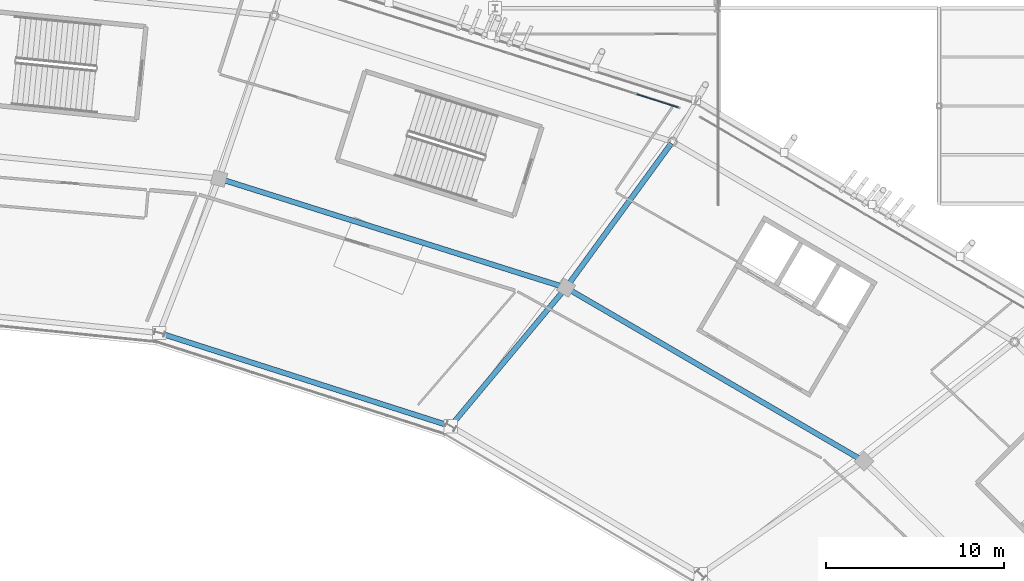
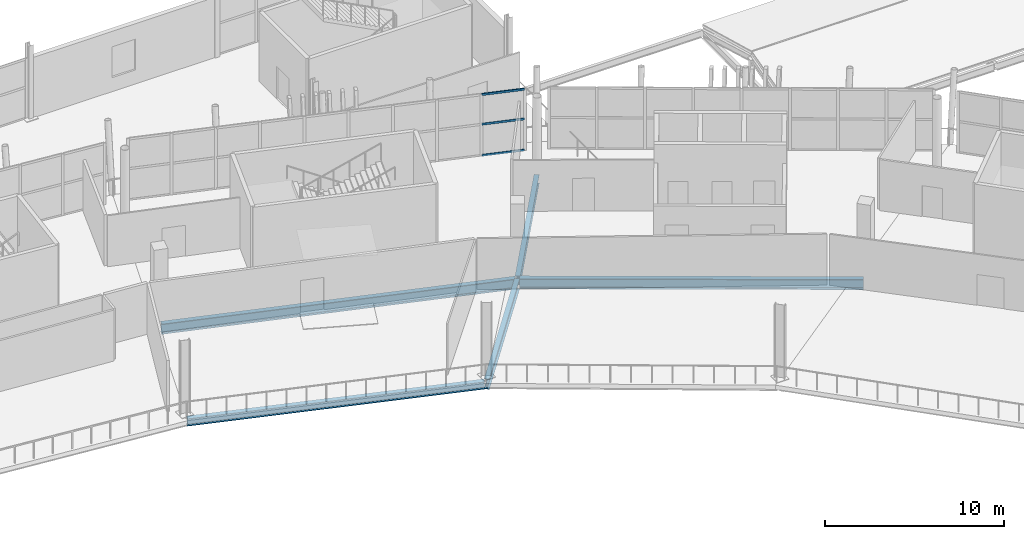
# One storey, part 82 of 179: 5 beams, 3 members, 1 element without a shape of its own.
"""IFC4 building model written with IfcOpenShell, lengths in metres."""

from ifc_helpers import new_model, si_unit, direction, frame, origin, origin_2d, place, context, subcontext, project, spatial, rectangle, i_section, extrude, material, material_profile, profile_set, type_object, element, aggregate, save


model = new_model("IFC4")

# Units and contexts
model_context = context("Model", 3, precision=1e-05, world=origin(), true_north=direction((0.0, 1.0)))
body_context = subcontext(model_context, "Body", "Model", "MODEL_VIEW")
ifc_project = project(units=[si_unit("LENGTHUNIT", "METRE"), si_unit("AREAUNIT", "SQUARE_METRE"), si_unit("VOLUMEUNIT", "CUBIC_METRE"), si_unit("PLANEANGLEUNIT", "RADIAN"), si_unit("MASSUNIT", "GRAM", prefix="KILO")], contexts=[model_context])

# Site, building, storey
site_placement = place(None, origin())
site = spatial("IfcSite", under=ifc_project, at=site_placement, CompositionType="ELEMENT")
building_placement = place(site_placement, origin())
building = spatial("IfcBuilding", under=site, at=building_placement, Name="Zlatoyarsky Gate Stadium", CompositionType="ELEMENT")
storey_placement = place(building_placement, frame((0.0, 0.0, 10.60009765625)))
storey = spatial("IfcBuildingStorey", under=building, at=storey_placement, Name="L02", CompositionType="ELEMENT", Elevation=10.60009765625)

# Curtain wall, members
ifc_material_1 = material(Name="Thermally broken anodised aluminium curtain wall", Category="aluminium")
curtain_wall_type = type_object("IfcCurtainWallType", Name="UNITISED HOSPITALITY GLAZING L02", PredefinedType="USERDEFINED", material=ifc_material_1)
curtain_wall_placement = place(storey_placement, origin())
curtain_wall = element("IfcCurtainWall", 1, at=curtain_wall_placement, inside=storey, type_object=curtain_wall_type, Name="Curtain wall CW-L02-04", ObjectType="UNITISED GLAZING", PredefinedType="USERDEFINED")
ifc_material_2 = material(Name="Anodised aluminium 6063-T6", Category="aluminium")
ifc_material_profile_1 = material_profile(ifc_material_2, rectangle(XDim=0.06494140625, YDim=0.139892578125, at=origin_2d()), Name="ALU 65X140")
ifc_profile_set_1 = profile_set([ifc_material_profile_1], Name="Anodised aluminium 6063-T6")
member_type = type_object("IfcMemberType", Name="ALUMINIUM TRANSOM 65X140", PredefinedType="USERDEFINED", material=ifc_profile_set_1)
member_1_placement = place(storey_placement, frame((157.806640625, 143.415771484375, 0.032470703125), z_axis=(-0.952887493796, 0.303323959105, 0.0), x_axis=(-0.303323959105, -0.952887493796, 0.0)))
member_1 = element("IfcMember", 2, at=member_1_placement, type_object=member_type, Name="CW-UG2 transom 1.1", ObjectType="TRANSOM", PredefinedType="USERDEFINED", context=body_context, shape_type="SweptSolid", body=[
    extrude(rectangle(XDim=0.06494140625, YDim=0.139892578125, at=origin_2d()), origin(), (0.0, 0.0, 1.0), 2.42919921875),
])
member_2_placement = place(storey_placement, frame((157.806640625, 143.415771484375, 2.14990234375), z_axis=(-0.952887493796, 0.303323959105, 0.0), x_axis=(-0.303323959105, -0.952887493796, 0.0)))
member_2 = element("IfcMember", 3, at=member_2_placement, type_object=member_type, Name="CW-UG2 transom 1.2", ObjectType="TRANSOM", PredefinedType="USERDEFINED", context=body_context, shape_type="SweptSolid", body=[
    extrude(rectangle(XDim=0.06494140625, YDim=0.139892578125, at=origin_2d()), origin(), (0.0, 0.0, 1.0), 2.42919921875),
])
member_3_placement = place(storey_placement, frame((157.806640625, 143.415771484375, 4.16748046875), z_axis=(-0.952887493796, 0.303323959105, 0.0), x_axis=(-0.303323959105, -0.952887493796, 0.0)))
member_3 = element("IfcMember", 4, at=member_3_placement, type_object=member_type, Name="CW-UG2 transom 1.3", ObjectType="TRANSOM", PredefinedType="USERDEFINED", context=body_context, shape_type="SweptSolid", body=[
    extrude(rectangle(XDim=0.06494140625, YDim=0.139892578125, at=origin_2d()), origin(), (0.0, 0.0, 1.0), 2.42919921875),
])
aggregate(curtain_wall, [member_1, member_2, member_3])

# Beams
ifc_material_3 = material(Name="Steel S355", Category="steel")
ifc_material_profile_2 = material_profile(ifc_material_3, i_section(OverallWidth=0.300048828125, OverallDepth=0.5, WebThickness=0.014404296875, FlangeThickness=0.028076171875, FilletRadius=0.027099609375, at=origin_2d()), Name="HEB 500")
ifc_profile_set_2 = profile_set([ifc_material_profile_2], Name="Steel S355")
beam_type_1 = type_object("IfcBeamType", Name="STEEL PRIMARY GIRDER HEB 500", PredefinedType="BEAM", material=ifc_profile_set_2)
beam_1_placement = place(storey_placement, frame((144.8857421875, 125.5029296875, -0.530029296875), z_axis=(-0.952480396568, 0.304599891914, 0.0), x_axis=(-0.304599891914, -0.952480396568, 0.0)))
element("IfcBeam", 5, at=beam_1_placement, inside=storey, type_object=beam_type_1, Name="Beam G-HEB500 BM-L02-CRA-04", PredefinedType="BEAM", context=body_context, shape_type="SweptSolid", body=[
    extrude(i_section(OverallWidth=0.300048828125, OverallDepth=0.5, WebThickness=0.014404296875, FlangeThickness=0.028076171875, FilletRadius=0.027099609375, at=origin_2d()), origin(), (0.0, 0.0, 1.0), 16.978515625),
])
ifc_material_profile_3 = material_profile(ifc_material_3, i_section(OverallWidth=0.300048828125, OverallDepth=0.60009765625, WebThickness=0.015380859375, FlangeThickness=0.030029296875, FilletRadius=0.027099609375, at=origin_2d()), Name="HEB 600")
ifc_profile_set_3 = profile_set([ifc_material_profile_3], Name="Steel S355")
beam_type_2 = type_object("IfcBeamType", Name="STEEL PRIMARY GIRDER HEB 600", PredefinedType="BEAM", material=ifc_profile_set_3)
beam_2_placement = place(storey_placement, frame((151.57080078125, 133.357666015625, -0.580078125), z_axis=(0.589228266457, 0.807966614415, 0.0), x_axis=(-0.807966614415, 0.589228266457, 0.0)))
element("IfcBeam", 6, at=beam_2_placement, inside=storey, type_object=beam_type_2, Name="Beam G-HEB600 BM-L02-RBC-04", PredefinedType="BEAM", context=body_context, shape_type="SweptSolid", body=[
    extrude(i_section(OverallWidth=0.300048828125, OverallDepth=0.60009765625, WebThickness=0.015380859375, FlangeThickness=0.030029296875, FilletRadius=0.027099609375, at=origin_2d()), origin(), (0.0, 0.0, 1.0), 9.9423828125),
])
ifc_material_profile_4 = material_profile(ifc_material_3, i_section(OverallWidth=0.300048828125, OverallDepth=0.699951171875, WebThickness=0.01708984375, FlangeThickness=0.031982421875, FilletRadius=0.027099609375, at=origin_2d()), Name="HEB 700")
ifc_profile_set_4 = profile_set([ifc_material_profile_4], Name="Steel S355")
beam_type_3 = type_object("IfcBeamType", Name="STEEL PRIMARY GIRDER HEB 700", PredefinedType="BEAM", material=ifc_profile_set_4)
beam_3_placement = place(storey_placement, frame((168.171875, 123.547607421875, -0.630126953125), z_axis=(-0.864054462945, 0.503398336375, 0.0), x_axis=(-0.503398336375, -0.864054462945, 0.0)))
element("IfcBeam", 7, at=beam_3_placement, inside=storey, type_object=beam_type_3, Name="Beam G-HEB700 BM-L02-CRB-03", PredefinedType="BEAM", context=body_context, shape_type="SweptSolid", body=[
    extrude(i_section(OverallWidth=0.300048828125, OverallDepth=0.699951171875, WebThickness=0.01708984375, FlangeThickness=0.031982421875, FilletRadius=0.027099609375, at=origin_2d()), origin(), (0.0, 0.0, 1.0), 19.1748046875),
])
beam_4_placement = place(storey_placement, frame((145.076904296875, 125.55859375, -0.630126953125), z_axis=(0.640460635814, 0.767990998627, 0.0), x_axis=(-0.767990998627, 0.640460635814, 0.0)))
element("IfcBeam", 8, at=beam_4_placement, inside=storey, type_object=beam_type_3, Name="Beam G-HEB700 BM-L02-RAB-04", PredefinedType="BEAM", context=body_context, shape_type="SweptSolid", body=[
    extrude(i_section(OverallWidth=0.300048828125, OverallDepth=0.699951171875, WebThickness=0.01708984375, FlangeThickness=0.031982421875, FilletRadius=0.027099609375, at=origin_2d()), origin(), (0.0, 0.0, 1.0), 9.90869140625),
])
beam_5_placement = place(storey_placement, frame((151.385498046875, 133.296630859375, -0.630126953125), z_axis=(-0.953937507984, 0.300005384719, 0.0), x_axis=(-0.300005384719, -0.953937507984, 0.0)))
element("IfcBeam", 9, at=beam_5_placement, inside=storey, type_object=beam_type_3, Name="Beam G-HEB700 BM-L02-CRB-04", PredefinedType="BEAM", context=body_context, shape_type="SweptSolid", body=[
    extrude(i_section(OverallWidth=0.300048828125, OverallDepth=0.699951171875, WebThickness=0.01708984375, FlangeThickness=0.031982421875, FilletRadius=0.027099609375, at=origin_2d()), origin(), (0.0, 0.0, 1.0), 20.239013671875),
])

save(model, "model.ifc")
